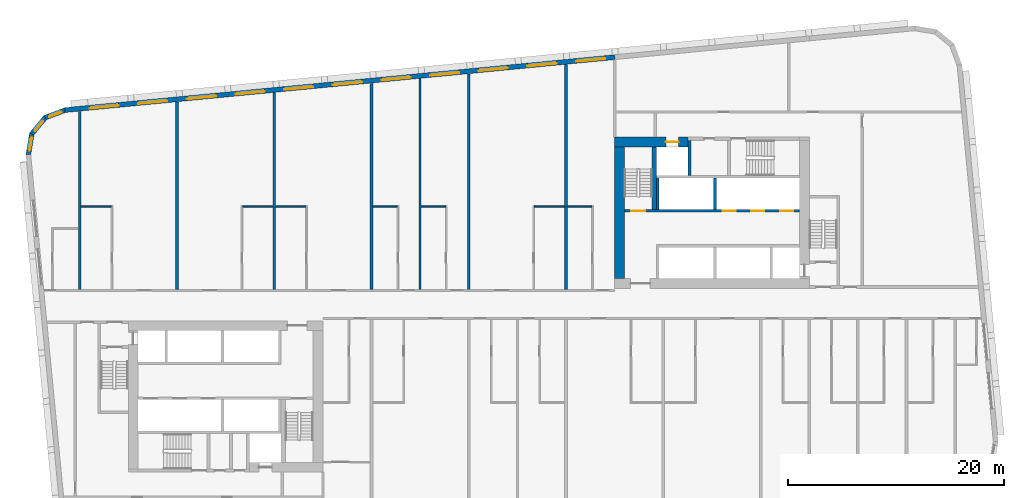
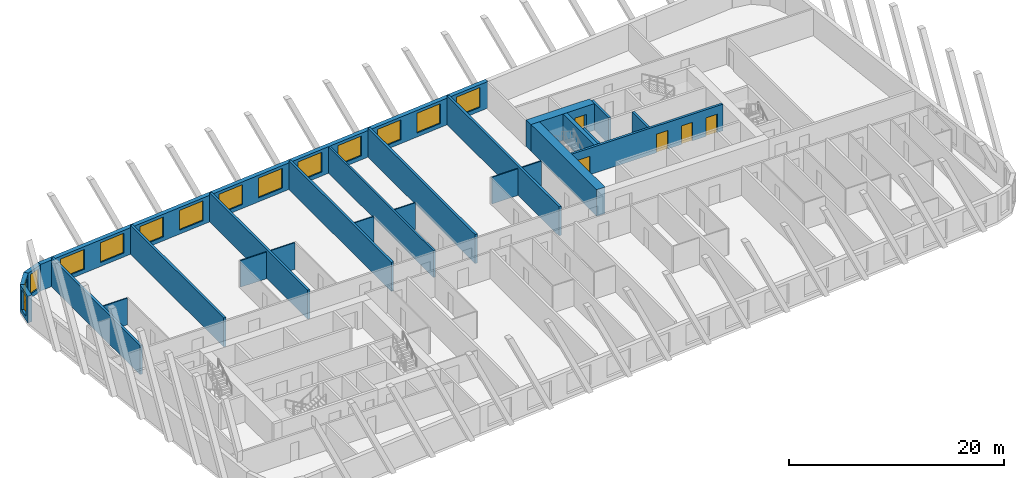
# One storey, part 6 of 13: 25 walls, 14 windows, 5 doors, 19 openings.
"""IFC4 building model written with IfcOpenShell, lengths in metres."""

from ifc_helpers import new_model, si_unit, direction, frame, frame_2d, origin, place, context, subcontext, project, spatial, polyline, rectangle, outline, extrude, material, layer, layer_set, type_object, element, fill, save


model = new_model("IFC4")

# Units and contexts
model_context = context("Model", 3, precision=1e-05, world=origin(), true_north=direction((0.0, 1.0)))
body_context = subcontext(model_context, "Body", "Model", "MODEL_VIEW")
ifc_project = project(units=[si_unit("LENGTHUNIT", "METRE"), si_unit("AREAUNIT", "SQUARE_METRE"), si_unit("VOLUMEUNIT", "CUBIC_METRE"), si_unit("PLANEANGLEUNIT", "RADIAN"), si_unit("MASSUNIT", "GRAM", prefix="KILO")], contexts=[model_context])

# Site, building, storey
site_placement = place(None, origin())
site = spatial("IfcSite", under=ifc_project, at=site_placement, CompositionType="ELEMENT")
building_placement = place(site_placement, origin())
building = spatial("IfcBuilding", under=site, at=building_placement, Name="Kajstack Hotel Tower", CompositionType="ELEMENT")
storey_placement = place(building_placement, frame((0.0, 0.0, 130.60009765625)))
storey = spatial("IfcBuildingStorey", under=building, at=storey_placement, Name="L29", CompositionType="ELEMENT", Elevation=130.60009765625)

# Wall, opening, door
ifc_material_1 = material(Name="Concrete C60/75", Category="concrete")
ifc_layer_1 = layer(ifc_material_1, 0.89990234375)
ifc_layer_set_1 = layer_set([ifc_layer_1], Name="Core wall 900")
wall_type_1 = type_object("IfcWallType", Name="Core wall 900", PredefinedType="SHEAR", material=ifc_layer_set_1)
wall_1_placement = place(storey_placement, frame((13.5, 15.050048828125, 0.0), z_axis=(0.0, 0.0, 1.0), x_axis=(1.0, 0.0, 0.0)))
wall_1 = element("IfcWall", 1, at=wall_1_placement, inside=storey, type_object=wall_type_1, Name="Core wall E RS", PredefinedType="SHEAR", context=body_context, shape_type="SweptSolid", body=[
    extrude(rectangle(XDim=6.800048828125, YDim=0.89990234375, at=frame_2d((3.39990234375, 0.0))), origin(), (0.0, 0.0, 1.0), 3.02001953125),
])
opening_1_placement = place(wall_1_placement, frame((4.72509765625, 0.0, 0.0)))
opening_1 = element("IfcOpeningElement", 2, at=opening_1_placement, cuts=wall_1, Name="Opening LD-SV2", PredefinedType="OPENING", context=body_context, shape_type="SweptSolid", body=[
    extrude(rectangle(XDim=1.199951171875, YDim=2.10009765625, at=frame_2d((0.60009765625, 1.050048828125))), frame((0.0, 0.4599609375, 0.0), z_axis=(0.0, -1.0, 0.0), x_axis=(1.0, 0.0, 0.0)), (0.0, 0.0, 1.0), 0.919921875),
])
ifc_material_2 = material(Name="Stainless steel", Category="steel")
door_type_1 = type_object("IfcDoorType", Name="Lift landing door 1200", OperationType="SLIDING_TO_LEFT", PredefinedType="DOOR", material=ifc_material_2)
door_1_placement = place(opening_1_placement, origin())
door_1 = element("IfcDoor", 3, at=door_1_placement, inside=storey, type_object=door_type_1, Name="Landing door SV2", OperationType="SLIDING_TO_LEFT", OverallHeight=2.10009765625, OverallWidth=1.199951171875, PredefinedType="DOOR", context=body_context, shape_type="SweptSolid", body=[
    extrude(rectangle(XDim=1.199951171875, YDim=2.10009765625, at=frame_2d((0.60009765625, 1.050048828125))), frame((0.0, 0.02490234375, 0.0), z_axis=(0.0, -1.0, 0.0), x_axis=(1.0, 0.0, 0.0)), (0.0, 0.0, 1.0), 0.050048828125),
])
fill(opening_1, door_1)

# Walls
wall_2_placement = place(storey_placement, frame((13.949951171875, 2.39990234375, 0.0), z_axis=(0.0, 0.0, 1.0), x_axis=(0.0, 1.0, 0.0)))
element("IfcWall", 4, at=wall_2_placement, inside=storey, type_object=wall_type_1, Name="Core wall E RE", PredefinedType="SHEAR", context=body_context, shape_type="SweptSolid", body=[
    extrude(rectangle(XDim=12.2001953125, YDim=0.89990234375, at=frame_2d((6.10009765625, 0.0))), origin(), (0.0, 0.0, 1.0), 3.02001953125),
])
ifc_material_3 = material(Name="Twin-frame gypsum board on steel studs, mineral wool", Category="steel")
ifc_layer_2 = layer(ifc_material_3, 0.199951171875)
ifc_layer_set_2 = layer_set([ifc_layer_2], Name="Demising wall 200")
wall_type_2 = type_object("IfcWallType", Name="Demising wall 200", PredefinedType="PARTITIONING", material=ifc_layer_set_2)
wall_3_placement = place(storey_placement, frame((-4.5, 1.39990234375, 0.0), z_axis=(0.0, 0.0, 1.0), x_axis=(0.0, 1.0, 0.0)))
element("IfcWall", 5, at=wall_3_placement, inside=storey, type_object=wall_type_2, Name="G-wall-L29-012", PredefinedType="PARTITIONING", context=body_context, shape_type="SweptSolid", body=[
    extrude(rectangle(XDim=19.529052734375, YDim=0.199951171875, at=frame_2d((9.7646484375, 0.0))), origin(), (0.0, 0.0, 1.0), 3.02001953125),
])

# Wall, openings, windows
ifc_material_4 = material(Name="Terracotta-faced brick masonry", Category="masonry")
ifc_layer_3 = layer(ifc_material_4, 0.449951171875)
ifc_layer_set_3 = layer_set([ifc_layer_3], Name="EW-TERRA")
wall_type_3 = type_object("IfcWallType", Name="EW-TERRA", PredefinedType="SOLIDWALL", material=ifc_layer_set_3)
wall_4_placement = place(storey_placement, frame((13.521484375, 22.89013671875, 0.0), z_axis=(0.0, 0.0, 1.0), x_axis=(-0.995396445054, -0.095843190545, 0.0)))
wall_4 = element("IfcWall", 6, at=wall_4_placement, inside=storey, type_object=wall_type_3, Name="E-wall-L29-12-02", PredefinedType="SOLIDWALL", context=body_context, shape_type="SweptSolid", body=[
    extrude(rectangle(XDim=51.114013671875, YDim=0.449951171875, at=frame_2d((25.55712890625, 0.0))), origin(), (0.0, 0.0, 1.0), 3.02001953125),
])
opening_2_placement = place(wall_4_placement, frame((0.910400390625, 0.0, 0.449951171875)))
opening_2 = element("IfcOpeningElement", 7, at=opening_2_placement, cuts=wall_4, Name="Opening W1", PredefinedType="OPENING", context=body_context, shape_type="SweptSolid", body=[
    extrude(rectangle(XDim=2.699951171875, YDim=2.25, at=frame_2d((1.35009765625, 1.125))), frame((0.0, 0.23486328125, 0.0), z_axis=(0.0, -1.0, 0.0), x_axis=(1.0, 0.0, 0.0)), (0.0, 0.0, 1.0), 0.469970703125),
])
opening_3_placement = place(wall_4_placement, frame((5.43115234375, 0.0, 0.449951171875)))
opening_3 = element("IfcOpeningElement", 8, at=opening_3_placement, cuts=wall_4, Name="Opening W1", PredefinedType="OPENING", context=body_context, shape_type="SweptSolid", body=[
    extrude(rectangle(XDim=2.699951171875, YDim=2.25, at=frame_2d((1.35009765625, 1.125))), frame((0.0, 0.23486328125, 0.0), z_axis=(0.0, -1.0, 0.0), x_axis=(1.0, 0.0, 0.0)), (0.0, 0.0, 1.0), 0.469970703125),
])
opening_4_placement = place(wall_4_placement, frame((9.951904296875, 0.0, 0.449951171875)))
opening_4 = element("IfcOpeningElement", 9, at=opening_4_placement, cuts=wall_4, Name="Opening W1", PredefinedType="OPENING", context=body_context, shape_type="SweptSolid", body=[
    extrude(rectangle(XDim=2.699951171875, YDim=2.25, at=frame_2d((1.35009765625, 1.125))), frame((0.0, 0.23486328125, 0.0), z_axis=(0.0, -1.0, 0.0), x_axis=(1.0, 0.0, 0.0)), (0.0, 0.0, 1.0), 0.469970703125),
])
opening_5_placement = place(wall_4_placement, frame((14.472900390625, 0.0, 0.449951171875)))
opening_5 = element("IfcOpeningElement", 10, at=opening_5_placement, cuts=wall_4, Name="Opening W1", PredefinedType="OPENING", context=body_context, shape_type="SweptSolid", body=[
    extrude(rectangle(XDim=2.699951171875, YDim=2.25, at=frame_2d((1.35009765625, 1.125))), frame((0.0, 0.23486328125, 0.0), z_axis=(0.0, -1.0, 0.0), x_axis=(1.0, 0.0, 0.0)), (0.0, 0.0, 1.0), 0.469970703125),
])
opening_6_placement = place(wall_4_placement, frame((18.99365234375, 0.0, 0.449951171875)))
opening_6 = element("IfcOpeningElement", 11, at=opening_6_placement, cuts=wall_4, Name="Opening W1", PredefinedType="OPENING", context=body_context, shape_type="SweptSolid", body=[
    extrude(rectangle(XDim=2.699951171875, YDim=2.25, at=frame_2d((1.35009765625, 1.125))), frame((0.0, 0.23486328125, 0.0), z_axis=(0.0, -1.0, 0.0), x_axis=(1.0, 0.0, 0.0)), (0.0, 0.0, 1.0), 0.469970703125),
])
opening_7_placement = place(wall_4_placement, frame((23.514404296875, 0.0, 0.449951171875)))
opening_7 = element("IfcOpeningElement", 12, at=opening_7_placement, cuts=wall_4, Name="Opening W1", PredefinedType="OPENING", context=body_context, shape_type="SweptSolid", body=[
    extrude(rectangle(XDim=2.699951171875, YDim=2.25, at=frame_2d((1.35009765625, 1.125))), frame((0.0, 0.23486328125, 0.0), z_axis=(0.0, -1.0, 0.0), x_axis=(1.0, 0.0, 0.0)), (0.0, 0.0, 1.0), 0.469970703125),
])
opening_8_placement = place(wall_4_placement, frame((28.035400390625, 0.0, 0.449951171875)))
opening_8 = element("IfcOpeningElement", 13, at=opening_8_placement, cuts=wall_4, Name="Opening W1", PredefinedType="OPENING", context=body_context, shape_type="SweptSolid", body=[
    extrude(rectangle(XDim=2.699951171875, YDim=2.25, at=frame_2d((1.35009765625, 1.125))), frame((0.0, 0.23486328125, 0.0), z_axis=(0.0, -1.0, 0.0), x_axis=(1.0, 0.0, 0.0)), (0.0, 0.0, 1.0), 0.469970703125),
])
opening_9_placement = place(wall_4_placement, frame((32.55615234375, 0.0, 0.449951171875)))
opening_9 = element("IfcOpeningElement", 14, at=opening_9_placement, cuts=wall_4, Name="Opening W1", PredefinedType="OPENING", context=body_context, shape_type="SweptSolid", body=[
    extrude(rectangle(XDim=2.699951171875, YDim=2.25, at=frame_2d((1.35009765625, 1.125))), frame((0.0, 0.23486328125, 0.0), z_axis=(0.0, -1.0, 0.0), x_axis=(1.0, 0.0, 0.0)), (0.0, 0.0, 1.0), 0.469970703125),
])
opening_10_placement = place(wall_4_placement, frame((37.076904296875, 0.0, 0.449951171875)))
opening_10 = element("IfcOpeningElement", 15, at=opening_10_placement, cuts=wall_4, Name="Opening W1", PredefinedType="OPENING", context=body_context, shape_type="SweptSolid", body=[
    extrude(rectangle(XDim=2.699951171875, YDim=2.25, at=frame_2d((1.35009765625, 1.125))), frame((0.0, 0.23486328125, 0.0), z_axis=(0.0, -1.0, 0.0), x_axis=(1.0, 0.0, 0.0)), (0.0, 0.0, 1.0), 0.469970703125),
])
opening_11_placement = place(wall_4_placement, frame((41.59765625, 0.0, 0.449951171875)))
opening_11 = element("IfcOpeningElement", 16, at=opening_11_placement, cuts=wall_4, Name="Opening W1", PredefinedType="OPENING", context=body_context, shape_type="SweptSolid", body=[
    extrude(rectangle(XDim=2.699951171875, YDim=2.25, at=frame_2d((1.35009765625, 1.125))), frame((0.0, 0.23486328125, 0.0), z_axis=(0.0, -1.0, 0.0), x_axis=(1.0, 0.0, 0.0)), (0.0, 0.0, 1.0), 0.469970703125),
])
opening_12_placement = place(wall_4_placement, frame((46.118408203125, 0.0, 0.449951171875)))
opening_12 = element("IfcOpeningElement", 17, at=opening_12_placement, cuts=wall_4, Name="Opening W1", PredefinedType="OPENING", context=body_context, shape_type="SweptSolid", body=[
    extrude(rectangle(XDim=2.699951171875, YDim=2.25, at=frame_2d((1.35009765625, 1.125))), frame((0.0, 0.23486328125, 0.0), z_axis=(0.0, -1.0, 0.0), x_axis=(1.0, 0.0, 0.0)), (0.0, 0.0, 1.0), 0.469970703125),
])
ifc_material_5 = material(Name="Timber-aluminium window, triple glazed", Category="wood")
window_type_1 = type_object("IfcWindowType", Name="WG1", PartitioningType="SINGLE_PANEL", PredefinedType="WINDOW", material=ifc_material_5)
window_1_placement = place(opening_2_placement, origin())
window_1 = element("IfcWindow", 18, at=window_1_placement, inside=storey, type_object=window_type_1, Name="Window W1 L29-12", OverallHeight=2.25, OverallWidth=2.699951171875, PartitioningType="SINGLE_PANEL", PredefinedType="WINDOW", context=body_context, shape_type="SweptSolid", body=[
    extrude(rectangle(XDim=2.699951171875, YDim=2.25, at=frame_2d((1.35009765625, 1.125))), frame((0.0, 0.090087890625, 0.0), z_axis=(0.0, -1.0, 0.0), x_axis=(1.0, 0.0, 0.0)), (0.0, 0.0, 1.0), 0.06005859375),
])
fill(opening_2, window_1)
window_2_placement = place(opening_3_placement, origin())
window_2 = element("IfcWindow", 19, at=window_2_placement, inside=storey, type_object=window_type_1, Name="Window W1 L29-12", OverallHeight=2.25, OverallWidth=2.699951171875, PartitioningType="SINGLE_PANEL", PredefinedType="WINDOW", context=body_context, shape_type="SweptSolid", body=[
    extrude(rectangle(XDim=2.699951171875, YDim=2.25, at=frame_2d((1.35009765625, 1.125))), frame((0.0, 0.090087890625, 0.0), z_axis=(0.0, -1.0, 0.0), x_axis=(1.0, 0.0, 0.0)), (0.0, 0.0, 1.0), 0.06005859375),
])
fill(opening_3, window_2)
window_3_placement = place(opening_4_placement, origin())
window_3 = element("IfcWindow", 20, at=window_3_placement, inside=storey, type_object=window_type_1, Name="Window W1 L29-12", OverallHeight=2.25, OverallWidth=2.699951171875, PartitioningType="SINGLE_PANEL", PredefinedType="WINDOW", context=body_context, shape_type="SweptSolid", body=[
    extrude(rectangle(XDim=2.699951171875, YDim=2.25, at=frame_2d((1.35009765625, 1.125))), frame((0.0, 0.090087890625, 0.0), z_axis=(0.0, -1.0, 0.0), x_axis=(1.0, 0.0, 0.0)), (0.0, 0.0, 1.0), 0.06005859375),
])
fill(opening_4, window_3)
window_4_placement = place(opening_5_placement, origin())
window_4 = element("IfcWindow", 21, at=window_4_placement, inside=storey, type_object=window_type_1, Name="Window W1 L29-12", OverallHeight=2.25, OverallWidth=2.699951171875, PartitioningType="SINGLE_PANEL", PredefinedType="WINDOW", context=body_context, shape_type="SweptSolid", body=[
    extrude(rectangle(XDim=2.699951171875, YDim=2.25, at=frame_2d((1.35009765625, 1.125))), frame((0.0, 0.090087890625, 0.0), z_axis=(0.0, -1.0, 0.0), x_axis=(1.0, 0.0, 0.0)), (0.0, 0.0, 1.0), 0.06005859375),
])
fill(opening_5, window_4)
window_5_placement = place(opening_6_placement, origin())
window_5 = element("IfcWindow", 22, at=window_5_placement, inside=storey, type_object=window_type_1, Name="Window W1 L29-12", OverallHeight=2.25, OverallWidth=2.699951171875, PartitioningType="SINGLE_PANEL", PredefinedType="WINDOW", context=body_context, shape_type="SweptSolid", body=[
    extrude(rectangle(XDim=2.699951171875, YDim=2.25, at=frame_2d((1.35009765625, 1.125))), frame((0.0, 0.090087890625, 0.0), z_axis=(0.0, -1.0, 0.0), x_axis=(1.0, 0.0, 0.0)), (0.0, 0.0, 1.0), 0.06005859375),
])
fill(opening_6, window_5)
window_6_placement = place(opening_7_placement, origin())
window_6 = element("IfcWindow", 23, at=window_6_placement, inside=storey, type_object=window_type_1, Name="Window W1 L29-12", OverallHeight=2.25, OverallWidth=2.699951171875, PartitioningType="SINGLE_PANEL", PredefinedType="WINDOW", context=body_context, shape_type="SweptSolid", body=[
    extrude(rectangle(XDim=2.699951171875, YDim=2.25, at=frame_2d((1.35009765625, 1.125))), frame((0.0, 0.090087890625, 0.0), z_axis=(0.0, -1.0, 0.0), x_axis=(1.0, 0.0, 0.0)), (0.0, 0.0, 1.0), 0.06005859375),
])
fill(opening_7, window_6)
window_7_placement = place(opening_8_placement, origin())
window_7 = element("IfcWindow", 24, at=window_7_placement, inside=storey, type_object=window_type_1, Name="Window W1 L29-12", OverallHeight=2.25, OverallWidth=2.699951171875, PartitioningType="SINGLE_PANEL", PredefinedType="WINDOW", context=body_context, shape_type="SweptSolid", body=[
    extrude(rectangle(XDim=2.699951171875, YDim=2.25, at=frame_2d((1.35009765625, 1.125))), frame((0.0, 0.090087890625, 0.0), z_axis=(0.0, -1.0, 0.0), x_axis=(1.0, 0.0, 0.0)), (0.0, 0.0, 1.0), 0.06005859375),
])
fill(opening_8, window_7)
window_8_placement = place(opening_9_placement, origin())
window_8 = element("IfcWindow", 25, at=window_8_placement, inside=storey, type_object=window_type_1, Name="Window W1 L29-12", OverallHeight=2.25, OverallWidth=2.699951171875, PartitioningType="SINGLE_PANEL", PredefinedType="WINDOW", context=body_context, shape_type="SweptSolid", body=[
    extrude(rectangle(XDim=2.699951171875, YDim=2.25, at=frame_2d((1.35009765625, 1.125))), frame((0.0, 0.090087890625, 0.0), z_axis=(0.0, -1.0, 0.0), x_axis=(1.0, 0.0, 0.0)), (0.0, 0.0, 1.0), 0.06005859375),
])
fill(opening_9, window_8)
window_9_placement = place(opening_10_placement, origin())
window_9 = element("IfcWindow", 26, at=window_9_placement, inside=storey, type_object=window_type_1, Name="Window W1 L29-12", OverallHeight=2.25, OverallWidth=2.699951171875, PartitioningType="SINGLE_PANEL", PredefinedType="WINDOW", context=body_context, shape_type="SweptSolid", body=[
    extrude(rectangle(XDim=2.699951171875, YDim=2.25, at=frame_2d((1.35009765625, 1.125))), frame((0.0, 0.090087890625, 0.0), z_axis=(0.0, -1.0, 0.0), x_axis=(1.0, 0.0, 0.0)), (0.0, 0.0, 1.0), 0.06005859375),
])
fill(opening_10, window_9)
window_10_placement = place(opening_11_placement, origin())
window_10 = element("IfcWindow", 27, at=window_10_placement, inside=storey, type_object=window_type_1, Name="Window W1 L29-12", OverallHeight=2.25, OverallWidth=2.699951171875, PartitioningType="SINGLE_PANEL", PredefinedType="WINDOW", context=body_context, shape_type="SweptSolid", body=[
    extrude(rectangle(XDim=2.699951171875, YDim=2.25, at=frame_2d((1.35009765625, 1.125))), frame((0.0, 0.090087890625, 0.0), z_axis=(0.0, -1.0, 0.0), x_axis=(1.0, 0.0, 0.0)), (0.0, 0.0, 1.0), 0.06005859375),
])
fill(opening_11, window_10)
window_11_placement = place(opening_12_placement, origin())
window_11 = element("IfcWindow", 28, at=window_11_placement, inside=storey, type_object=window_type_1, Name="Window W1 L29-12", OverallHeight=2.25, OverallWidth=2.699951171875, PartitioningType="SINGLE_PANEL", PredefinedType="WINDOW", context=body_context, shape_type="SweptSolid", body=[
    extrude(rectangle(XDim=2.699951171875, YDim=2.25, at=frame_2d((1.35009765625, 1.125))), frame((0.0, 0.090087890625, 0.0), z_axis=(0.0, -1.0, 0.0), x_axis=(1.0, 0.0, 0.0)), (0.0, 0.0, 1.0), 0.06005859375),
])
fill(opening_12, window_11)

# Wall, opening, window
wall_5_placement = place(storey_placement, frame((-37.300048828125, 18.00439453125, 0.0), z_axis=(0.0, 0.0, 1.0), x_axis=(-0.936677599948, -0.350192909346, 0.0)))
wall_5 = element("IfcWall", 29, at=wall_5_placement, inside=storey, type_object=wall_type_3, Name="E-wall-L29-13-00", PredefinedType="SOLIDWALL", context=body_context, shape_type="SweptSolid", body=[
    extrude(outline(polyline([(0.0, -0.224853515625), (2.070556640625, -0.224853515625), (1.949951171875, 0.22509765625), (0.12060546875, 0.22509765625), (0.0, -0.224853515625)])), origin(), (0.0, 0.0, 1.0), 3.02001953125),
])
opening_13_placement = place(wall_5_placement, frame((0.435302734375, 0.0, 0.449951171875)))
opening_13 = element("IfcOpeningElement", 30, at=opening_13_placement, cuts=wall_5, Name="Opening W3", PredefinedType="OPENING", context=body_context, shape_type="SweptSolid", body=[
    extrude(rectangle(XDim=1.199951171875, YDim=2.25, at=frame_2d((0.60009765625, 1.125))), frame((0.0, 0.23486328125, 0.0), z_axis=(0.0, -1.0, 0.0), x_axis=(1.0, 0.0, 0.0)), (0.0, 0.0, 1.0), 0.469970703125),
])
window_type_2 = type_object("IfcWindowType", Name="WG3", PartitioningType="SINGLE_PANEL", PredefinedType="WINDOW", material=ifc_material_5)
window_12_placement = place(opening_13_placement, origin())
window_12 = element("IfcWindow", 31, at=window_12_placement, inside=storey, type_object=window_type_2, Name="Window W3 L29-13", OverallHeight=2.25, OverallWidth=1.199951171875, PartitioningType="SINGLE_PANEL", PredefinedType="WINDOW", context=body_context, shape_type="SweptSolid", body=[
    extrude(rectangle(XDim=1.199951171875, YDim=2.25, at=frame_2d((0.60009765625, 1.125))), frame((0.0, 0.090087890625, 0.0), z_axis=(0.0, -1.0, 0.0), x_axis=(1.0, 0.0, 0.0)), (0.0, 0.0, 1.0), 0.06005859375),
])
fill(opening_13, window_12)

wall_6_placement = place(storey_placement, frame((-39.144775390625, 17.346923828125, 0.0), z_axis=(0.0, 0.0, 1.0), x_axis=(-0.636046112757, -0.771651049663, 0.0)))
wall_6 = element("IfcWall", 32, at=wall_6_placement, inside=storey, type_object=wall_type_3, Name="E-wall-L29-14-00", PredefinedType="SOLIDWALL", context=body_context, shape_type="SweptSolid", body=[
    extrude(outline(polyline([(0.0, -0.224853515625), (2.070556640625, -0.224853515625), (1.949951171875, 0.22509765625), (0.12060546875, 0.22509765625), (0.0, -0.224853515625)])), origin(), (0.0, 0.0, 1.0), 3.02001953125),
])
opening_14_placement = place(wall_6_placement, frame((0.435302734375, 0.0, 0.449951171875)))
opening_14 = element("IfcOpeningElement", 33, at=opening_14_placement, cuts=wall_6, Name="Opening W3", PredefinedType="OPENING", context=body_context, shape_type="SweptSolid", body=[
    extrude(rectangle(XDim=1.199951171875, YDim=2.25, at=frame_2d((0.60009765625, 1.125))), frame((0.0, 0.23486328125, 0.0), z_axis=(0.0, -1.0, 0.0), x_axis=(1.0, 0.0, 0.0)), (0.0, 0.0, 1.0), 0.469970703125),
])
window_13_placement = place(opening_14_placement, origin())
window_13 = element("IfcWindow", 34, at=window_13_placement, inside=storey, type_object=window_type_2, Name="Window W3 L29-14", OverallHeight=2.25, OverallWidth=1.199951171875, PartitioningType="SINGLE_PANEL", PredefinedType="WINDOW", context=body_context, shape_type="SweptSolid", body=[
    extrude(rectangle(XDim=1.199951171875, YDim=2.25, at=frame_2d((0.60009765625, 1.125))), frame((0.0, 0.090087890625, 0.0), z_axis=(0.0, -1.0, 0.0), x_axis=(1.0, 0.0, 0.0)), (0.0, 0.0, 1.0), 0.06005859375),
])
fill(opening_14, window_13)

wall_7_placement = place(storey_placement, frame((-40.413330078125, 15.855224609375, 0.0), z_axis=(0.0, 0.0, 1.0), x_axis=(-0.165068144653, -0.986282164302, 0.0)))
wall_7 = element("IfcWall", 35, at=wall_7_placement, inside=storey, type_object=wall_type_3, Name="E-wall-L29-15-00", PredefinedType="SOLIDWALL", context=body_context, shape_type="SweptSolid", body=[
    extrude(outline(polyline([(0.0, -0.22509765625), (2.070556640625, -0.224853515625), (1.9501953125, 0.22509765625), (0.12060546875, 0.224853515625), (0.0, -0.22509765625)])), origin(), (0.0, 0.0, 1.0), 3.02001953125),
])
opening_15_placement = place(wall_7_placement, frame((0.435302734375, 0.0, 0.449951171875)))
opening_15 = element("IfcOpeningElement", 36, at=opening_15_placement, cuts=wall_7, Name="Opening W3", PredefinedType="OPENING", context=body_context, shape_type="SweptSolid", body=[
    extrude(rectangle(XDim=1.199951171875, YDim=2.25, at=frame_2d((0.60009765625, 1.125))), frame((0.0, 0.23486328125, 0.0), z_axis=(0.0, -1.0, 0.0), x_axis=(1.0, 0.0, 0.0)), (0.0, 0.0, 1.0), 0.469970703125),
])
window_14_placement = place(opening_15_placement, origin())
window_14 = element("IfcWindow", 37, at=window_14_placement, inside=storey, type_object=window_type_2, Name="Window W3 L29-15", OverallHeight=2.25, OverallWidth=1.199951171875, PartitioningType="SINGLE_PANEL", PredefinedType="WINDOW", context=body_context, shape_type="SweptSolid", body=[
    extrude(rectangle(XDim=1.199951171875, YDim=2.25, at=frame_2d((0.60009765625, 1.125))), frame((0.0, 0.090087890625, 0.0), z_axis=(0.0, -1.0, 0.0), x_axis=(1.0, 0.0, 0.0)), (0.0, 0.0, 1.0), 0.06005859375),
])
fill(opening_15, window_14)

# Walls
ifc_material_6 = material(Name="Gypsum board and tiled backer on steel studs", Category="steel")
ifc_layer_4 = layer(ifc_material_6, 0.125)
ifc_layer_set_4 = layer_set([ifc_layer_4], Name="En-suite wall 125")
wall_type_4 = type_object("IfcWallType", Name="En-suite wall 125", PredefinedType="PARTITIONING", material=ifc_layer_set_4)
for number, where, z_axis, x_axis, name in (
    (38, (-35.875, 9.06201171875, 0.0), (0.0, 0.0, 1.0), (1.0, 0.0, 0.0), "G-wall-L29-007"),
    (39, (-20.925048828125, 9.06201171875, 0.0), (0.0, 0.0, 1.0), (1.0, 0.0, 0.0), "G-wall-L29-009"),
    (40, (-17.875, 9.06201171875, 0.0), (0.0, 0.0, 1.0), (1.0, 0.0, 0.0), "G-wall-L29-011"),
):
    element("IfcWall", number, at=place(storey_placement, frame(where, z_axis=z_axis, x_axis=x_axis)), inside=storey, type_object=wall_type_4, Name=name, PredefinedType="PARTITIONING", context=body_context, shape_type="SweptSolid", body=[
        extrude(rectangle(XDim=2.800048828125, YDim=0.125, at=frame_2d((1.39990234375, 0.0))), origin(), (0.0, 0.0, 1.0), 3.02001953125),
    ])
for number, where, z_axis, x_axis, name in (
    (41, (-8.875, 9.06201171875, 0.0), (0.0, 0.0, 1.0), (1.0, 0.0, 0.0), "G-wall-L29-014"),
    (42, (-4.39990234375, 9.06201171875, 0.0), (0.0, 0.0, 1.0), (1.0, 0.0, 0.0), "G-wall-L29-016"),
):
    element("IfcWall", number, at=place(storey_placement, frame(where, z_axis=z_axis, x_axis=x_axis)), inside=storey, type_object=wall_type_4, Name=name, PredefinedType="PARTITIONING", context=body_context, shape_type="SweptSolid", body=[
        extrude(rectangle(XDim=2.25, YDim=0.125, at=frame_2d((1.125, 0.0))), origin(), (0.0, 0.0, 1.0), 3.02001953125),
    ])
wall_8_placement = place(storey_placement, frame((6.074951171875, 9.06201171875, 0.0), z_axis=(0.0, 0.0, 1.0), x_axis=(1.0, 0.0, 0.0)))
element("IfcWall", 43, at=wall_8_placement, inside=storey, type_object=wall_type_4, Name="G-wall-L29-018", PredefinedType="PARTITIONING", context=body_context, shape_type="SweptSolid", body=[
    extrude(rectangle(XDim=2.800048828125, YDim=0.125, at=frame_2d((1.39990234375, 0.0))), origin(), (0.0, 0.0, 1.0), 3.02001953125),
])
wall_9_placement = place(storey_placement, frame((9.125, 9.06201171875, 0.0), z_axis=(0.0, 0.0, 1.0), x_axis=(1.0, 0.0, 0.0)))
element("IfcWall", 44, at=wall_9_placement, inside=storey, type_object=wall_type_4, Name="G-wall-L29-020", PredefinedType="PARTITIONING", context=body_context, shape_type="SweptSolid", body=[
    extrude(rectangle(XDim=2.25, YDim=0.125, at=frame_2d((1.125, 0.0))), origin(), (0.0, 0.0, 1.0), 3.02001953125),
])
ifc_material_7 = material(Name="Concrete C50/60", Category="concrete")
ifc_layer_5 = layer(ifc_material_7, 0.300048828125)
ifc_layer_set_5 = layer_set([ifc_layer_5], Name="Hoistway divider wall 300")
wall_type_5 = type_object("IfcWallType", Name="Hoistway divider wall 300", PredefinedType="SHEAR", material=ifc_layer_set_5)
wall_10_placement = place(storey_placement, frame((22.77490234375, 8.800048828125, 0.0), z_axis=(0.0, 0.0, 1.0), x_axis=(0.0, 1.0, 0.0)))
element("IfcWall", 45, at=wall_10_placement, inside=storey, type_object=wall_type_5, Name="Core wall E BP2", PredefinedType="SHEAR", context=body_context, shape_type="SweptSolid", body=[
    extrude(rectangle(XDim=2.89990234375, YDim=0.25, at=frame_2d((1.449951171875, 0.0))), origin(), (0.0, 0.0, 1.0), 3.02001953125),
])
ifc_material_8 = material(Name="Concrete C55/67", Category="concrete")
ifc_layer_6 = layer(ifc_material_8, 0.25)
ifc_layer_set_6 = layer_set([ifc_layer_6], Name="RC cross wall 250 C55/67")
wall_type_6 = type_object("IfcWallType", Name="RC cross wall 250 C55/67", PredefinedType="SHEAR", material=ifc_layer_set_6)
wall_11_placement = place(storey_placement, frame((-36.0, 1.39990234375, 0.0), z_axis=(0.0, 0.0, 1.0), x_axis=(0.0, 1.0, 0.0)))
element("IfcWall", 46, at=wall_11_placement, inside=storey, type_object=wall_type_6, Name="S-wall-L29-01", PredefinedType="SHEAR", context=body_context, shape_type="SweptSolid", body=[
    extrude(rectangle(XDim=16.473876953125, YDim=0.25, at=frame_2d((8.23681640625, 0.0))), origin(), (0.0, 0.0, 1.0), 3.2998046875),
])
wall_12_placement = place(storey_placement, frame((-27.0, 1.39990234375, 0.0), z_axis=(0.0, 0.0, 1.0), x_axis=(0.0, 1.0, 0.0)))
element("IfcWall", 47, at=wall_12_placement, inside=storey, type_object=wall_type_6, Name="S-wall-L29-02", PredefinedType="SHEAR", context=body_context, shape_type="SweptSolid", body=[
    extrude(rectangle(XDim=17.34033203125, YDim=0.25, at=frame_2d((8.670166015625, 0.0))), origin(), (0.0, 0.0, 1.0), 3.2998046875),
])
wall_13_placement = place(storey_placement, frame((-18.0, 1.39990234375, 0.0), z_axis=(0.0, 0.0, 1.0), x_axis=(0.0, 1.0, 0.0)))
element("IfcWall", 48, at=wall_13_placement, inside=storey, type_object=wall_type_6, Name="S-wall-L29-03", PredefinedType="SHEAR", context=body_context, shape_type="SweptSolid", body=[
    extrude(rectangle(XDim=18.20703125, YDim=0.25, at=frame_2d((9.103515625, 0.0))), origin(), (0.0, 0.0, 1.0), 3.2998046875),
])
wall_14_placement = place(storey_placement, frame((-9.0, 1.39990234375, 0.0), z_axis=(0.0, 0.0, 1.0), x_axis=(0.0, 1.0, 0.0)))
element("IfcWall", 49, at=wall_14_placement, inside=storey, type_object=wall_type_6, Name="S-wall-L29-05", PredefinedType="SHEAR", context=body_context, shape_type="SweptSolid", body=[
    extrude(rectangle(XDim=19.073486328125, YDim=0.25, at=frame_2d((9.53662109375, 0.0))), origin(), (0.0, 0.0, 1.0), 3.2998046875),
])
wall_15_placement = place(storey_placement, frame((0.0, 1.39990234375, 0.0), z_axis=(0.0, 0.0, 1.0), x_axis=(0.0, 1.0, 0.0)))
element("IfcWall", 50, at=wall_15_placement, inside=storey, type_object=wall_type_6, Name="S-wall-L29-07", PredefinedType="SHEAR", context=body_context, shape_type="SweptSolid", body=[
    extrude(rectangle(XDim=19.940185546875, YDim=0.25, at=frame_2d((9.97021484375, 0.0))), origin(), (0.0, 0.0, 1.0), 3.2998046875),
])
wall_16_placement = place(storey_placement, frame((9.0, 1.39990234375, 0.0), z_axis=(0.0, 0.0, 1.0), x_axis=(0.0, 1.0, 0.0)))
element("IfcWall", 51, at=wall_16_placement, inside=storey, type_object=wall_type_6, Name="S-wall-L29-09", PredefinedType="SHEAR", context=body_context, shape_type="SweptSolid", body=[
    extrude(rectangle(XDim=20.806884765625, YDim=0.25, at=frame_2d((10.4033203125, 0.0))), origin(), (0.0, 0.0, 1.0), 3.2998046875),
])

# Wall, openings, doors
ifc_layer_7 = layer(ifc_material_7, 0.25)
ifc_layer_set_7 = layer_set([ifc_layer_7], Name="Shaft wall 250")
wall_type_7 = type_object("IfcWallType", Name="Shaft wall 250", PredefinedType="SHEAR", material=ifc_layer_set_7)
wall_17_placement = place(storey_placement, frame((14.39990234375, 8.675048828125, 0.0), z_axis=(0.0, 0.0, 1.0), x_axis=(1.0, 0.0, 0.0)))
wall_17 = element("IfcWall", 52, at=wall_17_placement, inside=storey, type_object=wall_type_7, Name="Core wall E FB", PredefinedType="SHEAR", context=body_context, shape_type="SweptSolid", body=[
    extrude(rectangle(XDim=16.2001953125, YDim=0.25, at=frame_2d((8.10009765625, 0.0))), origin(), (0.0, 0.0, 1.0), 3.02001953125),
])
opening_16_placement = place(wall_17_placement, frame((14.39990234375, 0.0, 0.0)))
opening_16 = element("IfcOpeningElement", 53, at=opening_16_placement, cuts=wall_17, Name="Opening LD-LR4", PredefinedType="OPENING", context=body_context, shape_type="SweptSolid", body=[
    extrude(rectangle(XDim=1.199951171875, YDim=2.10009765625, at=frame_2d((0.60009765625, 1.050048828125))), frame((0.0, 0.135009765625, 0.0), z_axis=(0.0, -1.0, 0.0), x_axis=(1.0, 0.0, 0.0)), (0.0, 0.0, 1.0), 0.27001953125),
])
opening_17_placement = place(wall_17_placement, frame((11.75, 0.0, 0.0)))
opening_17 = element("IfcOpeningElement", 54, at=opening_17_placement, cuts=wall_17, Name="Opening LD-LR5", PredefinedType="OPENING", context=body_context, shape_type="SweptSolid", body=[
    extrude(rectangle(XDim=1.199951171875, YDim=2.10009765625, at=frame_2d((0.60009765625, 1.050048828125))), frame((0.0, 0.135009765625, 0.0), z_axis=(0.0, -1.0, 0.0), x_axis=(1.0, 0.0, 0.0)), (0.0, 0.0, 1.0), 0.27001953125),
])
opening_18_placement = place(wall_17_placement, frame((9.10009765625, 0.0, 0.0)))
opening_18 = element("IfcOpeningElement", 55, at=opening_18_placement, cuts=wall_17, Name="Opening LD-LR6", PredefinedType="OPENING", context=body_context, shape_type="SweptSolid", body=[
    extrude(rectangle(XDim=1.199951171875, YDim=2.10009765625, at=frame_2d((0.60009765625, 1.050048828125))), frame((0.0, 0.135009765625, 0.0), z_axis=(0.0, -1.0, 0.0), x_axis=(1.0, 0.0, 0.0)), (0.0, 0.0, 1.0), 0.27001953125),
])
opening_19_placement = place(wall_17_placement, frame((0.64990234375, 0.0, 0.0)))
opening_19 = element("IfcOpeningElement", 56, at=opening_19_placement, cuts=wall_17, Name="Opening 29E10", PredefinedType="OPENING", context=body_context, shape_type="SweptSolid", body=[
    extrude(rectangle(XDim=1.300048828125, YDim=2.10009765625, at=frame_2d((0.64990234375, 1.050048828125))), frame((0.0, 0.135009765625, 0.0), z_axis=(0.0, -1.0, 0.0), x_axis=(1.0, 0.0, 0.0)), (0.0, 0.0, 1.0), 0.27001953125),
])
door_2_placement = place(opening_16_placement, origin())
door_2 = element("IfcDoor", 57, at=door_2_placement, inside=storey, type_object=door_type_1, Name="Landing door LR4", OperationType="SLIDING_TO_LEFT", OverallHeight=2.10009765625, OverallWidth=1.199951171875, PredefinedType="DOOR", context=body_context, shape_type="SweptSolid", body=[
    extrude(rectangle(XDim=1.199951171875, YDim=2.10009765625, at=frame_2d((0.60009765625, 1.050048828125))), frame((0.0, 0.02490234375, 0.0), z_axis=(0.0, -1.0, 0.0), x_axis=(1.0, 0.0, 0.0)), (0.0, 0.0, 1.0), 0.050048828125),
])
fill(opening_16, door_2)
door_3_placement = place(opening_17_placement, origin())
door_3 = element("IfcDoor", 58, at=door_3_placement, inside=storey, type_object=door_type_1, Name="Landing door LR5", OperationType="SLIDING_TO_RIGHT", OverallHeight=2.10009765625, OverallWidth=1.199951171875, PredefinedType="DOOR", context=body_context, shape_type="SweptSolid", body=[
    extrude(rectangle(XDim=1.199951171875, YDim=2.10009765625, at=frame_2d((0.60009765625, 1.050048828125))), frame((0.0, 0.02490234375, 0.0), z_axis=(0.0, -1.0, 0.0), x_axis=(1.0, 0.0, 0.0)), (0.0, 0.0, 1.0), 0.050048828125),
])
fill(opening_17, door_3)
door_4_placement = place(opening_18_placement, origin())
door_4 = element("IfcDoor", 59, at=door_4_placement, inside=storey, type_object=door_type_1, Name="Landing door LR6", OperationType="SLIDING_TO_RIGHT", OverallHeight=2.10009765625, OverallWidth=1.199951171875, PredefinedType="DOOR", context=body_context, shape_type="SweptSolid", body=[
    extrude(rectangle(XDim=1.199951171875, YDim=2.10009765625, at=frame_2d((0.60009765625, 1.050048828125))), frame((0.0, 0.02490234375, 0.0), z_axis=(0.0, -1.0, 0.0), x_axis=(1.0, 0.0, 0.0)), (0.0, 0.0, 1.0), 0.050048828125),
])
fill(opening_18, door_4)
ifc_material_9 = material(Name="Steel leaf, fire-rated", Category="steel")
door_type_2 = type_object("IfcDoorType", Name="Stair door 1300", OperationType="SINGLE_SWING_LEFT", PredefinedType="DOOR", material=ifc_material_9)
door_5_placement = place(opening_19_placement, origin())
door_5 = element("IfcDoor", 60, at=door_5_placement, inside=storey, type_object=door_type_2, Name="Door 29E10", OperationType="SINGLE_SWING_LEFT", OverallHeight=2.10009765625, OverallWidth=1.300048828125, PredefinedType="DOOR", context=body_context, shape_type="SweptSolid", body=[
    extrude(rectangle(XDim=1.300048828125, YDim=2.10009765625, at=frame_2d((0.64990234375, 1.050048828125))), frame((0.0, 0.02490234375, 0.0), z_axis=(0.0, -1.0, 0.0), x_axis=(1.0, 0.0, 0.0)), (0.0, 0.0, 1.0), 0.050048828125),
])
fill(opening_19, door_5)

# Walls
wall_18_placement = place(storey_placement, frame((17.47509765625, 8.800048828125, 0.0), z_axis=(0.0, 0.0, 1.0), x_axis=(0.0, 1.0, 0.0)))
element("IfcWall", 61, at=wall_18_placement, inside=storey, type_object=wall_type_7, Name="Core wall E BE", PredefinedType="SHEAR", context=body_context, shape_type="SweptSolid", body=[
    extrude(rectangle(XDim=2.89990234375, YDim=0.25, at=frame_2d((1.449951171875, 0.0))), origin(), (0.0, 0.0, 1.0), 3.02001953125),
])
wall_19_placement = place(storey_placement, frame((20.425048828125, 11.949951171875, 0.0), z_axis=(0.0, 0.0, 1.0), x_axis=(0.0, 1.0, 0.0)))
element("IfcWall", 62, at=wall_19_placement, inside=storey, type_object=wall_type_7, Name="Core wall E SVW", PredefinedType="SHEAR", context=body_context, shape_type="SweptSolid", body=[
    extrude(rectangle(XDim=3.25, YDim=0.25, at=frame_2d((1.625, 0.0))), origin(), (0.0, 0.0, 1.0), 3.02001953125),
])
ifc_layer_8 = layer(ifc_material_7, 0.39990234375)
ifc_layer_set_8 = layer_set([ifc_layer_8], Name="Stair wall 400")
wall_type_8 = type_object("IfcWallType", Name="Stair wall 400", PredefinedType="SHEAR", material=ifc_layer_set_8)
wall_20_placement = place(storey_placement, frame((17.14990234375, 8.800048828125, 0.0), z_axis=(0.0, 0.0, 1.0), x_axis=(0.0, 1.0, 0.0)))
element("IfcWall", 63, at=wall_20_placement, inside=storey, type_object=wall_type_8, Name="Core wall E WW2", PredefinedType="SHEAR", context=body_context, shape_type="SweptSolid", body=[
    extrude(rectangle(XDim=5.800048828125, YDim=0.39990234375, at=frame_2d((2.89990234375, 0.0))), origin(), (0.0, 0.0, 1.0), 3.02001953125),
])

save(model, "model.ifc")
